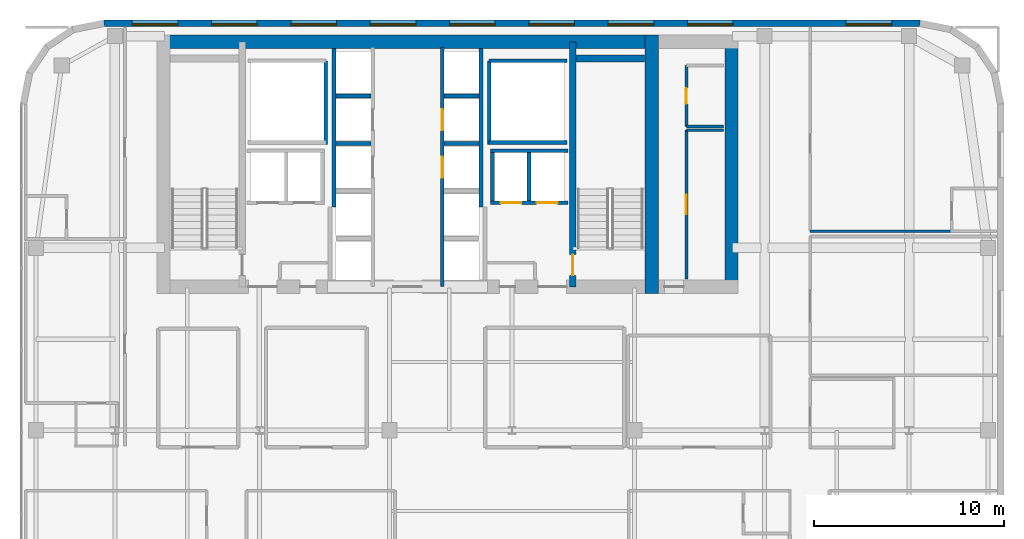
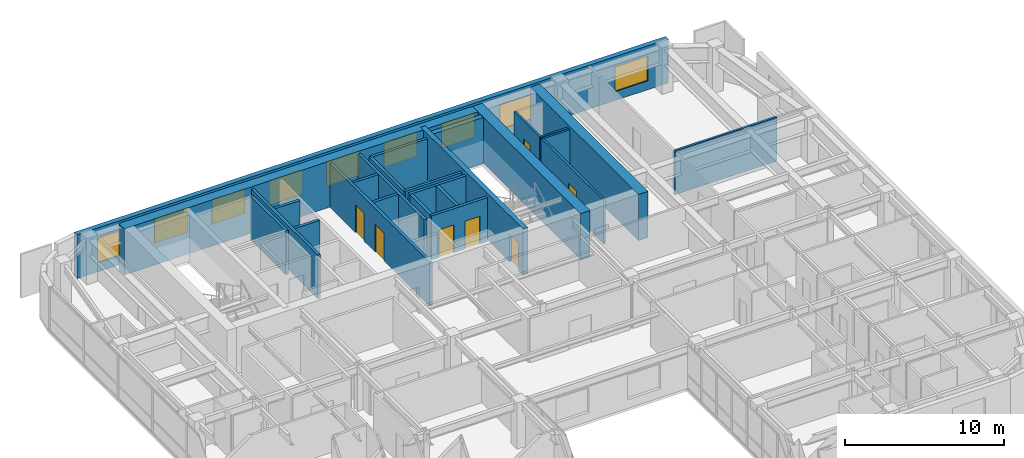
# One storey, part 22 of 24: 26 walls, 9 windows, 7 doors, 16 openings.
"""IFC4 building model written with IfcOpenShell, lengths in metres."""

from ifc_helpers import new_model, si_unit, direction, frame, frame_2d, origin, place, context, subcontext, project, spatial, rectangle, extrude, source, transform, mapped, material, layer, layer_set, type_object, type_shapes, element, fill, save


model = new_model("IFC4")

# Units and contexts
model_context = context("Model", 3, precision=1e-05, world=origin(), true_north=direction((0.0, 1.0)))
body_context = subcontext(model_context, "Body", "Model", "MODEL_VIEW")
ifc_project = project(units=[si_unit("LENGTHUNIT", "METRE"), si_unit("AREAUNIT", "SQUARE_METRE"), si_unit("VOLUMEUNIT", "CUBIC_METRE"), si_unit("PLANEANGLEUNIT", "RADIAN"), si_unit("MASSUNIT", "GRAM", prefix="KILO")], contexts=[model_context])

# Site, building, storey
site_placement = place(None, origin())
site = spatial("IfcSite", under=ifc_project, at=site_placement, CompositionType="ELEMENT")
building_placement = place(site_placement, origin())
building = spatial("IfcBuilding", under=site, at=building_placement, Name="Tolvann Quenvar Hotel", CompositionType="ELEMENT")
storey_placement = place(building_placement, frame((0.0, 0.0, 157.699951171875)))
storey = spatial("IfcBuildingStorey", under=building, at=storey_placement, Name="L41", CompositionType="ELEMENT", Elevation=157.699951171875)

# Walls
ifc_material_1 = material(Name="Concrete S65 (65 MPa)", Category="concrete")
ifc_layer_1 = layer(ifc_material_1, 0.699951171875)
ifc_layer_set_1 = layer_set([ifc_layer_1], Name="Concrete S65 (65 MPa)")
wall_type_1 = type_object("IfcWallType", Name="WALL_CORE_700", PredefinedType="SHEAR", material=ifc_layer_set_1)
wall_1_placement = place(storey_placement, frame((9.800048828125, 44.85009765625, 0.0), z_axis=(0.0, 0.0, 1.0), x_axis=(1.0, 0.0, 0.0)))
element("IfcWall", 1, at=wall_1_placement, inside=storey, type_object=wall_type_1, Name="Rear Core N Shear Wall (L41)", PredefinedType="SHEAR", context=body_context, shape_type="SweptSolid", body=[
    extrude(rectangle(XDim=26.39990234375, YDim=0.699951171875, at=frame_2d((13.199951171875, 0.0))), origin(), (0.0, 0.0, 1.0), 3.550048828125),
])
for number, where, z_axis, x_axis, name in (
    (2, (35.85009765625, 31.60009765625, 0.0), (0.0, 0.0, 1.0), (0.0, 1.0, 0.0), "Rear Core E Shear Wall (L41)"),
    (3, (40.050048828125, 31.60009765625, 0.0), (0.0, 0.0, 1.0), (0.0, 1.0, 0.0), "Core East Annex Shear Wall ANN-E (L41)"),
):
    element("IfcWall", number, at=place(storey_placement, frame(where, z_axis=z_axis, x_axis=x_axis)), inside=storey, type_object=wall_type_1, Name=name, PredefinedType="SHEAR", context=body_context, shape_type="SweptSolid", body=[
        extrude(rectangle(XDim=13.599853515625, YDim=0.699951171875, at=frame_2d((6.7998046875, 0.0))), origin(), (0.0, 0.0, 1.0), 3.550048828125),
    ])

# Wall, opening, door
ifc_layer_2 = layer(ifc_material_1, 0.35009765625)
ifc_layer_set_2 = layer_set([ifc_layer_2], Name="Concrete S65 (65 MPa)")
wall_type_2 = type_object("IfcWallType", Name="WALL_CORE_INT_350", PredefinedType="SHEAR", material=ifc_layer_set_2)
wall_2_placement = place(storey_placement, frame((31.699951171875, 31.949951171875, 0.0), z_axis=(0.0, 0.0, 1.0), x_axis=(0.0, 1.0, 0.0)))
wall_2 = element("IfcWall", 4, at=wall_2_placement, inside=storey, type_object=wall_type_2, Name="Core Internal Web Shear Wall WEB-E (L41)", PredefinedType="SHEAR", context=body_context, shape_type="SweptSolid", body=[
    extrude(rectangle(XDim=12.900146484375, YDim=0.35009765625, at=frame_2d((6.4501953125, 0.0))), origin(), (0.0, 0.0, 1.0), 3.550048828125),
])
opening_1_placement = place(wall_2_placement, frame((1.7001953125, 0.0, 0.0), z_axis=(0.0, 0.0, 1.0), x_axis=(-1.0, 0.0, 0.0)))
opening_1 = element("IfcOpeningElement", 5, at=opening_1_placement, cuts=wall_2, Name="Opening FD-120", PredefinedType="OPENING", context=body_context, shape_type="SweptSolid", body=[
    extrude(rectangle(XDim=1.10009765625, YDim=2.1201171875, at=frame_2d((0.550048828125, 1.06005859375))), frame((0.0, 0.18505859375, 0.0), z_axis=(0.0, -1.0, 0.0), x_axis=(1.0, 0.0, 0.0)), (0.0, 0.0, 1.0), 0.3701171875),
])
ifc_material_2 = material(Name="Pressed galvanised steel fire-rated door set", Category="steel")
door_type_1 = type_object("IfcDoorType", Name="DOOR_FIRE_STAIR_1100", OperationType="NOTDEFINED", PredefinedType="DOOR", material=ifc_material_2)
shared_shape_1 = source(origin(), body_context, "Body", "SweptSolid", [
    extrude(rectangle(XDim=1.10009765625, YDim=2.1201171875, at=frame_2d((0.550048828125, 1.06005859375))), frame((0.0, 0.02490234375, 0.0), z_axis=(0.0, -1.0, 0.0), x_axis=(1.0, 0.0, 0.0)), (0.0, 0.0, 1.0), 0.050048828125),
])
type_shapes(door_type_1, [shared_shape_1])
door_1_placement = place(opening_1_placement, origin())
door_1 = element("IfcDoor", 6, at=door_1_placement, inside=storey, type_object=door_type_1, Name="Exit Stair ST-C2 Fire Door (L41)", OperationType="SINGLE_SWING_RIGHT", OverallHeight=2.1201171875, OverallWidth=1.10009765625, PredefinedType="DOOR", context=body_context, shape_type="MappedRepresentation", body=[
    mapped(shared_shape_1, transform((0.0, 0.0, 0.0), x_axis=(1.0, 0.0, 0.0), y_axis=(0.0, 1.0, 0.0), z_axis=(0.0, 0.0, 1.0), scale=1.0)),
])
fill(opening_1, door_1)

# Wall
wall_3_placement = place(storey_placement, frame((31.8798828125, 43.97509765625, 0.0), z_axis=(0.0, 0.0, 1.0), x_axis=(1.0, 0.0, 0.0)))
element("IfcWall", 7, at=wall_3_placement, inside=storey, type_object=wall_type_2, Name="Core Stair North Closing Shear Wall STC2-N (L41)", PredefinedType="SHEAR", context=body_context, shape_type="SweptSolid", body=[
    extrude(rectangle(XDim=3.60009765625, YDim=0.35009765625, at=frame_2d((1.800048828125, 0.0))), origin(), (0.0, 0.0, 1.0), 3.550048828125),
])

# Wall, openings, windows
ifc_material_3 = material(Name="Kiln-fired red and buff architectural clay brickwork and terracotta masonry", Category="masonry")
ifc_layer_3 = layer(ifc_material_3, 0.35009765625)
ifc_layer_set_3 = layer_set([ifc_layer_3], Name="Kiln-fired red and buff architectural clay brickwork and terracotta masonry")
wall_type_3 = type_object("IfcWallType", Name="WALL_EXT_BRICK_350", PredefinedType="SOLIDWALL", material=ifc_layer_set_3)
wall_4_placement = place(storey_placement, frame((49.98291015625, 45.824951171875, 0.0), z_axis=(0.0, 0.0, 1.0), x_axis=(-1.0, 0.0, 0.0)))
wall_4 = element("IfcWall", 8, at=wall_4_placement, inside=storey, type_object=wall_type_3, Name="Exterior Chicago Brick Wall L41-E18", PredefinedType="SOLIDWALL", context=body_context, shape_type="SweptSolid", body=[
    extrude(rectangle(XDim=42.9658203125, YDim=0.35009765625, at=frame_2d((21.48291015625, 0.0))), origin(), (0.0, 0.0, 1.0), 3.3701171875),
])
opening_2_placement = place(wall_4_placement, frame((1.488037109375, 0.0, 0.679931640625)))
opening_2 = element("IfcOpeningElement", 9, at=opening_2_placement, cuts=wall_4, Name="Opening W-01", PredefinedType="OPENING", context=body_context, shape_type="SweptSolid", body=[
    extrude(rectangle(XDim=2.39990234375, YDim=1.89990234375, at=frame_2d((1.199951171875, 0.949951171875))), frame((0.0, 0.18505859375, 0.0), z_axis=(0.0, -1.0, 0.0), x_axis=(1.0, 0.0, 0.0)), (0.0, 0.0, 1.0), 0.3701171875),
])
opening_3_placement = place(wall_4_placement, frame((9.841064453125, 0.0, 0.679931640625)))
opening_3 = element("IfcOpeningElement", 10, at=opening_3_placement, cuts=wall_4, Name="Opening W-01", PredefinedType="OPENING", context=body_context, shape_type="SweptSolid", body=[
    extrude(rectangle(XDim=2.39990234375, YDim=1.89990234375, at=frame_2d((1.199951171875, 0.949951171875))), frame((0.0, 0.18505859375, 0.0), z_axis=(0.0, -1.0, 0.0), x_axis=(1.0, 0.0, 0.0)), (0.0, 0.0, 1.0), 0.3701171875),
])
opening_4_placement = place(wall_4_placement, frame((14.01806640625, 0.0, 0.679931640625)))
opening_4 = element("IfcOpeningElement", 11, at=opening_4_placement, cuts=wall_4, Name="Opening W-01", PredefinedType="OPENING", context=body_context, shape_type="SweptSolid", body=[
    extrude(rectangle(XDim=2.39990234375, YDim=1.89990234375, at=frame_2d((1.199951171875, 0.949951171875))), frame((0.0, 0.18505859375, 0.0), z_axis=(0.0, -1.0, 0.0), x_axis=(1.0, 0.0, 0.0)), (0.0, 0.0, 1.0), 0.3701171875),
])
opening_5_placement = place(wall_4_placement, frame((18.195068359375, 0.0, 0.679931640625)))
opening_5 = element("IfcOpeningElement", 12, at=opening_5_placement, cuts=wall_4, Name="Opening W-01", PredefinedType="OPENING", context=body_context, shape_type="SweptSolid", body=[
    extrude(rectangle(XDim=2.39990234375, YDim=1.89990234375, at=frame_2d((1.199951171875, 0.949951171875))), frame((0.0, 0.18505859375, 0.0), z_axis=(0.0, -1.0, 0.0), x_axis=(1.0, 0.0, 0.0)), (0.0, 0.0, 1.0), 0.3701171875),
])
opening_6_placement = place(wall_4_placement, frame((22.37109375, 0.0, 0.679931640625)))
opening_6 = element("IfcOpeningElement", 13, at=opening_6_placement, cuts=wall_4, Name="Opening W-01", PredefinedType="OPENING", context=body_context, shape_type="SweptSolid", body=[
    extrude(rectangle(XDim=2.39990234375, YDim=1.89990234375, at=frame_2d((1.199951171875, 0.949951171875))), frame((0.0, 0.18505859375, 0.0), z_axis=(0.0, -1.0, 0.0), x_axis=(1.0, 0.0, 0.0)), (0.0, 0.0, 1.0), 0.3701171875),
])
opening_7_placement = place(wall_4_placement, frame((26.548095703125, 0.0, 0.679931640625)))
opening_7 = element("IfcOpeningElement", 14, at=opening_7_placement, cuts=wall_4, Name="Opening W-01", PredefinedType="OPENING", context=body_context, shape_type="SweptSolid", body=[
    extrude(rectangle(XDim=2.39990234375, YDim=1.89990234375, at=frame_2d((1.199951171875, 0.949951171875))), frame((0.0, 0.18505859375, 0.0), z_axis=(0.0, -1.0, 0.0), x_axis=(1.0, 0.0, 0.0)), (0.0, 0.0, 1.0), 0.3701171875),
])
opening_8_placement = place(wall_4_placement, frame((30.72412109375, 0.0, 0.679931640625)))
opening_8 = element("IfcOpeningElement", 15, at=opening_8_placement, cuts=wall_4, Name="Opening W-01", PredefinedType="OPENING", context=body_context, shape_type="SweptSolid", body=[
    extrude(rectangle(XDim=2.39990234375, YDim=1.89990234375, at=frame_2d((1.199951171875, 0.949951171875))), frame((0.0, 0.18505859375, 0.0), z_axis=(0.0, -1.0, 0.0), x_axis=(1.0, 0.0, 0.0)), (0.0, 0.0, 1.0), 0.3701171875),
])
opening_9_placement = place(wall_4_placement, frame((34.90087890625, 0.0, 0.679931640625)))
opening_9 = element("IfcOpeningElement", 16, at=opening_9_placement, cuts=wall_4, Name="Opening W-01", PredefinedType="OPENING", context=body_context, shape_type="SweptSolid", body=[
    extrude(rectangle(XDim=2.39990234375, YDim=1.89990234375, at=frame_2d((1.199951171875, 0.949951171875))), frame((0.0, 0.18505859375, 0.0), z_axis=(0.0, -1.0, 0.0), x_axis=(1.0, 0.0, 0.0)), (0.0, 0.0, 1.0), 0.3701171875),
])
opening_10_placement = place(wall_4_placement, frame((39.076904296875, 0.0, 0.679931640625)))
opening_10 = element("IfcOpeningElement", 17, at=opening_10_placement, cuts=wall_4, Name="Opening W-01", PredefinedType="OPENING", context=body_context, shape_type="SweptSolid", body=[
    extrude(rectangle(XDim=2.39990234375, YDim=1.89990234375, at=frame_2d((1.199951171875, 0.949951171875))), frame((0.0, 0.18505859375, 0.0), z_axis=(0.0, -1.0, 0.0), x_axis=(1.0, 0.0, 0.0)), (0.0, 0.0, 1.0), 0.3701171875),
])
ifc_material_4 = material(Name="Thermally broken bronze-anodised aluminium frame with double low-E glazing", Category="aluminium")
window_type = type_object("IfcWindowType", Name="WIN_CHI_2400x2050", PartitioningType="TRIPLE_PANEL_HORIZONTAL", PredefinedType="WINDOW", material=ifc_material_4)
shared_shape_2 = source(origin(), body_context, "Body", "SweptSolid", [
    extrude(rectangle(XDim=2.39990234375, YDim=1.89990234375, at=frame_2d((1.199951171875, 0.949951171875))), frame((0.0, 0.090087890625, 0.0), z_axis=(0.0, -1.0, 0.0), x_axis=(1.0, 0.0, 0.0)), (0.0, 0.0, 1.0), 0.06005859375),
])
type_shapes(window_type, [shared_shape_2])
window_1_placement = place(opening_2_placement, origin())
window_1 = element("IfcWindow", 18, at=window_1_placement, inside=storey, type_object=window_type, Name="Chicago Window W-01 (EW-L41-E18-W01)", OverallHeight=1.89990234375, OverallWidth=2.39990234375, PartitioningType="TRIPLE_PANEL_HORIZONTAL", PredefinedType="WINDOW", context=body_context, shape_type="MappedRepresentation", body=[
    mapped(shared_shape_2, transform((0.0, 0.0, 0.0), x_axis=(1.0, 0.0, 0.0), y_axis=(0.0, 1.0, 0.0), z_axis=(0.0, 0.0, 1.0), scale=1.0)),
])
fill(opening_2, window_1)
window_2_placement = place(opening_3_placement, origin())
window_2 = element("IfcWindow", 19, at=window_2_placement, inside=storey, type_object=window_type, Name="Chicago Window W-01 (EW-L41-E18-W02)", OverallHeight=1.89990234375, OverallWidth=2.39990234375, PartitioningType="TRIPLE_PANEL_HORIZONTAL", PredefinedType="WINDOW", context=body_context, shape_type="MappedRepresentation", body=[
    mapped(shared_shape_2, transform((0.0, 0.0, 0.0), x_axis=(1.0, 0.0, 0.0), y_axis=(0.0, 1.0, 0.0), z_axis=(0.0, 0.0, 1.0), scale=1.0)),
])
fill(opening_3, window_2)
window_3_placement = place(opening_4_placement, origin())
window_3 = element("IfcWindow", 20, at=window_3_placement, inside=storey, type_object=window_type, Name="Chicago Window W-01 (EW-L41-E18-W03)", OverallHeight=1.89990234375, OverallWidth=2.39990234375, PartitioningType="TRIPLE_PANEL_HORIZONTAL", PredefinedType="WINDOW", context=body_context, shape_type="MappedRepresentation", body=[
    mapped(shared_shape_2, transform((0.0, 0.0, 0.0), x_axis=(1.0, 0.0, 0.0), y_axis=(0.0, 1.0, 0.0), z_axis=(0.0, 0.0, 1.0), scale=1.0)),
])
fill(opening_4, window_3)
window_4_placement = place(opening_5_placement, origin())
window_4 = element("IfcWindow", 21, at=window_4_placement, inside=storey, type_object=window_type, Name="Chicago Window W-01 (EW-L41-E18-W04)", OverallHeight=1.89990234375, OverallWidth=2.39990234375, PartitioningType="TRIPLE_PANEL_HORIZONTAL", PredefinedType="WINDOW", context=body_context, shape_type="MappedRepresentation", body=[
    mapped(shared_shape_2, transform((0.0, 0.0, 0.0), x_axis=(1.0, 0.0, 0.0), y_axis=(0.0, 1.0, 0.0), z_axis=(0.0, 0.0, 1.0), scale=1.0)),
])
fill(opening_5, window_4)
window_5_placement = place(opening_6_placement, origin())
window_5 = element("IfcWindow", 22, at=window_5_placement, inside=storey, type_object=window_type, Name="Chicago Window W-01 (EW-L41-E18-W05)", OverallHeight=1.89990234375, OverallWidth=2.39990234375, PartitioningType="TRIPLE_PANEL_HORIZONTAL", PredefinedType="WINDOW", context=body_context, shape_type="MappedRepresentation", body=[
    mapped(shared_shape_2, transform((0.0, 0.0, 0.0), x_axis=(1.0, 0.0, 0.0), y_axis=(0.0, 1.0, 0.0), z_axis=(0.0, 0.0, 1.0), scale=1.0)),
])
fill(opening_6, window_5)
window_6_placement = place(opening_7_placement, origin())
window_6 = element("IfcWindow", 23, at=window_6_placement, inside=storey, type_object=window_type, Name="Chicago Window W-01 (EW-L41-E18-W06)", OverallHeight=1.89990234375, OverallWidth=2.39990234375, PartitioningType="TRIPLE_PANEL_HORIZONTAL", PredefinedType="WINDOW", context=body_context, shape_type="MappedRepresentation", body=[
    mapped(shared_shape_2, transform((0.0, 0.0, 0.0), x_axis=(1.0, 0.0, 0.0), y_axis=(0.0, 1.0, 0.0), z_axis=(0.0, 0.0, 1.0), scale=1.0)),
])
fill(opening_7, window_6)
window_7_placement = place(opening_8_placement, origin())
window_7 = element("IfcWindow", 24, at=window_7_placement, inside=storey, type_object=window_type, Name="Chicago Window W-01 (EW-L41-E18-W07)", OverallHeight=1.89990234375, OverallWidth=2.39990234375, PartitioningType="TRIPLE_PANEL_HORIZONTAL", PredefinedType="WINDOW", context=body_context, shape_type="MappedRepresentation", body=[
    mapped(shared_shape_2, transform((0.0, 0.0, 0.0), x_axis=(1.0, 0.0, 0.0), y_axis=(0.0, 1.0, 0.0), z_axis=(0.0, 0.0, 1.0), scale=1.0)),
])
fill(opening_8, window_7)
window_8_placement = place(opening_9_placement, origin())
window_8 = element("IfcWindow", 25, at=window_8_placement, inside=storey, type_object=window_type, Name="Chicago Window W-01 (EW-L41-E18-W08)", OverallHeight=1.89990234375, OverallWidth=2.39990234375, PartitioningType="TRIPLE_PANEL_HORIZONTAL", PredefinedType="WINDOW", context=body_context, shape_type="MappedRepresentation", body=[
    mapped(shared_shape_2, transform((0.0, 0.0, 0.0), x_axis=(1.0, 0.0, 0.0), y_axis=(0.0, 1.0, 0.0), z_axis=(0.0, 0.0, 1.0), scale=1.0)),
])
fill(opening_9, window_8)
window_9_placement = place(opening_10_placement, origin())
window_9 = element("IfcWindow", 26, at=window_9_placement, inside=storey, type_object=window_type, Name="Chicago Window W-01 (EW-L41-E18-W09)", OverallHeight=1.89990234375, OverallWidth=2.39990234375, PartitioningType="TRIPLE_PANEL_HORIZONTAL", PredefinedType="WINDOW", context=body_context, shape_type="MappedRepresentation", body=[
    mapped(shared_shape_2, transform((0.0, 0.0, 0.0), x_axis=(1.0, 0.0, 0.0), y_axis=(0.0, 1.0, 0.0), z_axis=(0.0, 0.0, 1.0), scale=1.0)),
])
fill(opening_10, window_9)

# Wall
ifc_material_5 = material(Name="Acoustic twin-stud fire-rated gypsum plasterboard partition")
ifc_layer_4 = layer(ifc_material_5, 0.14990234375)
ifc_layer_set_4 = layer_set([ifc_layer_4], Name="Acoustic twin-stud fire-rated gypsum plasterboard partition")
wall_type_4 = type_object("IfcWallType", Name="WALL_PART_SUITE_150", PredefinedType="PARTITIONING", material=ifc_layer_set_4)
wall_5_placement = place(storey_placement, frame((37.679931640625, 40.199951171875, 0.0), z_axis=(0.0, 0.0, 1.0), x_axis=(1.0, 0.0, 0.0)))
element("IfcWall", 27, at=wall_5_placement, inside=storey, type_object=wall_type_4, Name="Interior Partition PT-SPC-L41-RECPL-1-N", PredefinedType="PARTITIONING", context=body_context, shape_type="SweptSolid", body=[
    extrude(rectangle(XDim=1.965087890625, YDim=0.14990234375, at=frame_2d((0.982421875, 0.0))), origin(), (0.0, 0.0, 1.0), 3.3701171875),
])

# Wall, opening, door
wall_6_placement = place(storey_placement, frame((37.679931640625, 32.35498046875, 0.0), z_axis=(0.0, 0.0, 1.0), x_axis=(0.0, 1.0, 0.0)))
wall_6 = element("IfcWall", 28, at=wall_6_placement, inside=storey, type_object=wall_type_4, Name="Interior Partition PT-SPC-L41-RECPL-1-W", PredefinedType="PARTITIONING", context=body_context, shape_type="SweptSolid", body=[
    extrude(rectangle(XDim=7.844970703125, YDim=0.14990234375, at=frame_2d((3.92236328125, 0.0))), origin(), (0.0, 0.0, 1.0), 3.3701171875),
])
opening_11_placement = place(wall_6_placement, frame((3.41259765625, 0.0, 0.0)))
opening_11 = element("IfcOpeningElement", 29, at=opening_11_placement, cuts=wall_6, Name="Opening HD-01", PredefinedType="OPENING", context=body_context, shape_type="SweptSolid", body=[
    extrude(rectangle(XDim=1.02001953125, YDim=2.030029296875, at=frame_2d((0.510009765625, 1.01513671875))), frame((0.0, 0.0849609375, 0.0), z_axis=(0.0, -1.0, 0.0), x_axis=(1.0, 0.0, 0.0)), (0.0, 0.0, 1.0), 0.169921875),
])
door_type_2 = type_object("IfcDoorType", Name="DOOR_BOH_1020", OperationType="NOTDEFINED", PredefinedType="DOOR", material=ifc_material_2)
shared_shape_3 = source(origin(), body_context, "Body", "SweptSolid", [
    extrude(rectangle(XDim=1.02001953125, YDim=2.030029296875, at=frame_2d((0.510009765625, 1.01513671875))), frame((0.0, 0.02490234375, 0.0), z_axis=(0.0, -1.0, 0.0), x_axis=(1.0, 0.0, 0.0)), (0.0, 0.0, 1.0), 0.050048828125),
])
type_shapes(door_type_2, [shared_shape_3])
door_2_placement = place(opening_11_placement, origin())
door_2 = element("IfcDoor", 30, at=door_2_placement, inside=storey, type_object=door_type_2, Name="Interior Door DOOR-SPC-L41-RECPL-1", OperationType="SINGLE_SWING_LEFT", OverallHeight=2.030029296875, OverallWidth=1.02001953125, PredefinedType="DOOR", context=body_context, shape_type="MappedRepresentation", body=[
    mapped(shared_shape_3, transform((0.0, 0.0, 0.0), x_axis=(1.0, 0.0, 0.0), y_axis=(0.0, 1.0, 0.0), z_axis=(0.0, 0.0, 1.0), scale=1.0)),
])
fill(opening_11, door_2)

# Wall
wall_7_placement = place(storey_placement, frame((37.679931640625, 40.39990234375, 0.0), z_axis=(0.0, 0.0, 1.0), x_axis=(1.0, 0.0, 0.0)))
element("IfcWall", 31, at=wall_7_placement, inside=storey, type_object=wall_type_4, Name="Interior Partition PT-SPC-L41-CSE-1-S", PredefinedType="PARTITIONING", context=body_context, shape_type="SweptSolid", body=[
    extrude(rectangle(XDim=1.965087890625, YDim=0.14990234375, at=frame_2d((0.982421875, 0.0))), origin(), (0.0, 0.0, 1.0), 3.3701171875),
])

# Wall, opening, door
wall_8_placement = place(storey_placement, frame((37.679931640625, 40.39990234375, 0.0), z_axis=(0.0, 0.0, 1.0), x_axis=(0.0, 1.0, 0.0)))
wall_8 = element("IfcWall", 32, at=wall_8_placement, inside=storey, type_object=wall_type_4, Name="Interior Partition PT-SPC-L41-CSE-1-W", PredefinedType="PARTITIONING", context=body_context, shape_type="SweptSolid", body=[
    extrude(rectangle(XDim=3.2001953125, YDim=0.14990234375, at=frame_2d((1.60009765625, 0.0))), origin(), (0.0, 0.0, 1.0), 3.3701171875),
])
opening_12_placement = place(wall_8_placement, frame((1.18994140625, 0.0, 0.0)))
opening_12 = element("IfcOpeningElement", 33, at=opening_12_placement, cuts=wall_8, Name="Opening HD-02", PredefinedType="OPENING", context=body_context, shape_type="SweptSolid", body=[
    extrude(rectangle(XDim=0.820068359375, YDim=2.010009765625, at=frame_2d((0.41015625, 1.0048828125))), frame((0.0, 0.0849609375, 0.0), z_axis=(0.0, -1.0, 0.0), x_axis=(1.0, 0.0, 0.0)), (0.0, 0.0, 1.0), 0.169921875),
])
door_type_3 = type_object("IfcDoorType", Name="DOOR_STORE_820", OperationType="NOTDEFINED", PredefinedType="DOOR", material=ifc_material_2)
shared_shape_4 = source(origin(), body_context, "Body", "SweptSolid", [
    extrude(rectangle(XDim=0.820068359375, YDim=2.010009765625, at=frame_2d((0.41015625, 1.0048828125))), frame((0.0, 0.02490234375, 0.0), z_axis=(0.0, -1.0, 0.0), x_axis=(1.0, 0.0, 0.0)), (0.0, 0.0, 1.0), 0.050048828125),
])
type_shapes(door_type_3, [shared_shape_4])
door_3_placement = place(opening_12_placement, origin())
door_3 = element("IfcDoor", 34, at=door_3_placement, inside=storey, type_object=door_type_3, Name="Interior Door DOOR-SPC-L41-CSE-1", OperationType="SINGLE_SWING_RIGHT", OverallHeight=2.010009765625, OverallWidth=0.820068359375, PredefinedType="DOOR", context=body_context, shape_type="MappedRepresentation", body=[
    mapped(shared_shape_4, transform((0.0, 0.0, 0.0), x_axis=(1.0, 0.0, 0.0), y_axis=(0.0, 1.0, 0.0), z_axis=(0.0, 0.0, 1.0), scale=1.0)),
])
fill(opening_12, door_3)

# Walls
wall_9_placement = place(storey_placement, frame((44.199951171875, 34.8798828125, 0.0), z_axis=(0.0, 0.0, 1.0), x_axis=(1.0, 0.0, 0.0)))
element("IfcWall", 35, at=wall_9_placement, inside=storey, type_object=wall_type_4, Name="Interior Partition PT-SPC-L41-RM-NE01-E1", PredefinedType="PARTITIONING", context=body_context, shape_type="SweptSolid", body=[
    extrude(rectangle(XDim=7.429931640625, YDim=0.14990234375, at=frame_2d((3.71484375, 0.0))), origin(), (0.0, 0.0, 1.0), 3.3701171875),
])
ifc_material_6 = material(Name="Concrete N40 (40 MPa)", Category="concrete")
ifc_layer_5 = layer(ifc_material_6, 0.199951171875)
ifc_layer_set_5 = layer_set([ifc_layer_5], Name="Concrete N40 (40 MPa)")
wall_type_5 = type_object("IfcWallType", Name="WALL_SHAFT_200", PredefinedType="SOLIDWALL", material=ifc_layer_set_5)
for number, where, z_axis, x_axis, name in (
    (36, (18.699951171875, 39.449951171875, 0.0), (0.0, 0.0, 1.0), (0.0, 1.0, 0.0), "Service Riser W Shaft Wall IN (L41)"),
    (37, (27.300048828125, 39.449951171875, 0.0), (0.0, 0.0, 1.0), (0.0, 1.0, 0.0), "Service Riser E Shaft Wall IN (L41)"),
):
    element("IfcWall", number, at=place(storey_placement, frame(where, z_axis=z_axis, x_axis=x_axis)), inside=storey, type_object=wall_type_5, Name=name, PredefinedType="SOLIDWALL", context=body_context, shape_type="SweptSolid", body=[
        extrude(rectangle(XDim=4.400146484375, YDim=0.199951171875, at=frame_2d((2.2001953125, 0.0))), origin(), (0.0, 0.0, 1.0), 3.3701171875),
    ])
for number, where, z_axis, x_axis, name in (
    (38, (27.300048828125, 39.550048828125, 0.0), (0.0, 0.0, 1.0), (1.0, 0.0, 0.0), "Service Riser E Shaft Wall S (L41)"),
    (39, (27.300048828125, 43.85009765625, 0.0), (0.0, 0.0, 1.0), (1.0, 0.0, 0.0), "Service Riser E Shaft Wall N (L41)"),
):
    element("IfcWall", number, at=place(storey_placement, frame(where, z_axis=z_axis, x_axis=x_axis)), inside=storey, type_object=wall_type_5, Name=name, PredefinedType="SOLIDWALL", context=body_context, shape_type="SweptSolid", body=[
        extrude(rectangle(XDim=4.099853515625, YDim=0.199951171875, at=frame_2d((2.0498046875, 0.0))), origin(), (0.0, 0.0, 1.0), 3.3701171875),
    ])
wall_10_placement = place(storey_placement, frame((19.1298828125, 36.159912109375, 0.0), z_axis=(0.0, 0.0, 1.0), x_axis=(0.0, 1.0, 0.0)))
element("IfcWall", 40, at=wall_10_placement, inside=storey, type_object=wall_type_5, Name="Lift Bank E21.1C1 Hoistway Rear Wall (L41)", PredefinedType="SOLIDWALL", context=body_context, shape_type="SweptSolid", body=[
    extrude(rectangle(XDim=8.336181640625, YDim=0.199951171875, at=frame_2d((4.16796875, 0.0))), origin(), (0.0, 0.0, 1.0), 3.3701171875),
])
for number, where, z_axis, x_axis, name in (
    (41, (19.22998046875, 39.5, 0.0), (0.0, 0.0, 1.0), (1.0, 0.0, 0.0), "Lift Bank E21.1C1 Divider Wall 3 (L41)"),
    (42, (19.22998046875, 42.0, 0.0), (0.0, 0.0, 1.0), (1.0, 0.0, 0.0), "Lift Bank E21.1C1 Divider Wall 4 (L41)"),
):
    element("IfcWall", number, at=place(storey_placement, frame(where, z_axis=z_axis, x_axis=x_axis)), inside=storey, type_object=wall_type_5, Name=name, PredefinedType="SOLIDWALL", context=body_context, shape_type="SweptSolid", body=[
        extrude(rectangle(XDim=1.840087890625, YDim=0.199951171875, at=frame_2d((0.919921875, 0.0))), origin(), (0.0, 0.0, 1.0), 3.3701171875),
    ])

# Wall, openings, doors
wall_11_placement = place(storey_placement, frame((27.375, 36.3798828125, 0.0), z_axis=(0.0, 0.0, 1.0), x_axis=(1.0, 0.0, 0.0)))
wall_11 = element("IfcWall", 43, at=wall_11_placement, inside=storey, type_object=wall_type_5, Name="Lift Bank SEC1 Hoistway Front Wall (L41)", PredefinedType="SOLIDWALL", context=body_context, shape_type="SweptSolid", body=[
    extrude(rectangle(XDim=4.074951171875, YDim=0.199951171875, at=frame_2d((2.03759765625, 0.0))), origin(), (0.0, 0.0, 1.0), 3.3701171875),
])
opening_13_placement = place(wall_11_placement, frame((0.52490234375, 0.0, 0.0)))
opening_13 = element("IfcOpeningElement", 44, at=opening_13_placement, cuts=wall_11, Name="Opening LD-01", PredefinedType="OPENING", context=body_context, shape_type="SweptSolid", body=[
    extrude(rectangle(XDim=1.10009765625, YDim=2.1201171875, at=frame_2d((0.550048828125, 1.06005859375))), frame((0.0, 0.10986328125, 0.0), z_axis=(0.0, -1.0, 0.0), x_axis=(1.0, 0.0, 0.0)), (0.0, 0.0, 1.0), 0.219970703125),
])
opening_14_placement = place(wall_11_placement, frame((2.425048828125, 0.0, 0.0)))
opening_14 = element("IfcOpeningElement", 45, at=opening_14_placement, cuts=wall_11, Name="Opening LD-01", PredefinedType="OPENING", context=body_context, shape_type="SweptSolid", body=[
    extrude(rectangle(XDim=1.10009765625, YDim=2.1201171875, at=frame_2d((0.550048828125, 1.06005859375))), frame((0.0, 0.10986328125, 0.0), z_axis=(0.0, -1.0, 0.0), x_axis=(1.0, 0.0, 0.0)), (0.0, 0.0, 1.0), 0.219970703125),
])
ifc_material_7 = material(Name="Brushed 316 stainless steel automatic sliding lift landing door", Category="steel")
door_type_4 = type_object("IfcDoorType", Name="DOOR_LIFT_SLIDE_1100", OperationType="NOTDEFINED", PredefinedType="DOOR", material=ifc_material_7)
shared_shape_5 = source(origin(), body_context, "Body", "SweptSolid", [
    extrude(rectangle(XDim=1.10009765625, YDim=2.1201171875, at=frame_2d((0.550048828125, 1.06005859375))), frame((0.0, 0.02490234375, 0.0), z_axis=(0.0, -1.0, 0.0), x_axis=(1.0, 0.0, 0.0)), (0.0, 0.0, 1.0), 0.050048828125),
])
type_shapes(door_type_4, [shared_shape_5])
door_4_placement = place(opening_13_placement, origin())
door_4 = element("IfcDoor", 46, at=door_4_placement, inside=storey, type_object=door_type_4, Name="Lift SV-2 Sliding Landing Door (L41)", OperationType="SLIDING_TO_LEFT", OverallHeight=2.1201171875, OverallWidth=1.10009765625, PredefinedType="DOOR", context=body_context, shape_type="MappedRepresentation", body=[
    mapped(shared_shape_5, transform((0.0, 0.0, 0.0), x_axis=(1.0, 0.0, 0.0), y_axis=(0.0, 1.0, 0.0), z_axis=(0.0, 0.0, 1.0), scale=1.0)),
])
fill(opening_13, door_4)
door_5_placement = place(opening_14_placement, origin())
door_5 = element("IfcDoor", 47, at=door_5_placement, inside=storey, type_object=door_type_4, Name="Lift FF-2 Sliding Landing Door (L41)", OperationType="SLIDING_TO_RIGHT", OverallHeight=2.1201171875, OverallWidth=1.10009765625, PredefinedType="DOOR", context=body_context, shape_type="MappedRepresentation", body=[
    mapped(shared_shape_5, transform((0.0, 0.0, 0.0), x_axis=(1.0, 0.0, 0.0), y_axis=(0.0, 1.0, 0.0), z_axis=(0.0, 0.0, 1.0), scale=1.0)),
])
fill(opening_14, door_5)

# Walls
wall_12_placement = place(storey_placement, frame((27.375, 39.1201171875, 0.0), z_axis=(0.0, 0.0, 1.0), x_axis=(1.0, 0.0, 0.0)))
element("IfcWall", 48, at=wall_12_placement, inside=storey, type_object=wall_type_5, Name="Lift Bank SEC1 Hoistway Rear Wall (L41)", PredefinedType="SOLIDWALL", context=body_context, shape_type="SweptSolid", body=[
    extrude(rectangle(XDim=4.074951171875, YDim=0.199951171875, at=frame_2d((2.03759765625, 0.0))), origin(), (0.0, 0.0, 1.0), 3.3701171875),
])
for number, where, z_axis, x_axis, name in (
    (49, (27.47509765625, 36.47998046875, 0.0), (0.0, 0.0, 1.0), (0.0, 1.0, 0.0), "Lift Bank SEC1 Hoistway Cheek Wall 1 (L41)"),
    (50, (29.387451171875, 36.47998046875, 0.0), (0.0, 0.0, 1.0), (0.0, 1.0, 0.0), "Lift Bank SEC1 Divider Wall 1 (L41)"),
):
    element("IfcWall", number, at=place(storey_placement, frame(where, z_axis=z_axis, x_axis=x_axis)), inside=storey, type_object=wall_type_5, Name=name, PredefinedType="SOLIDWALL", context=body_context, shape_type="SweptSolid", body=[
        extrude(rectangle(XDim=2.5400390625, YDim=0.199951171875, at=frame_2d((1.27001953125, 0.0))), origin(), (0.0, 0.0, 1.0), 3.3701171875),
    ])

# Wall, openings, doors
wall_13_placement = place(storey_placement, frame((24.830078125, 31.9599609375, 0.0), z_axis=(0.0, 0.0, 1.0), x_axis=(0.0, 1.0, 0.0)))
wall_13 = element("IfcWall", 51, at=wall_13_placement, inside=storey, type_object=wall_type_5, Name="Lift Bank W24.9C1 Hoistway Front Wall (L41)", PredefinedType="SOLIDWALL", context=body_context, shape_type="SweptSolid", body=[
    extrude(rectangle(XDim=12.580078125, YDim=0.199951171875, at=frame_2d((6.2900390625, 0.0))), origin(), (0.0, 0.0, 1.0), 3.3701171875),
])
opening_15_placement = place(wall_13_placement, frame((5.739990234375, 0.0, 0.0)))
opening_15 = element("IfcOpeningElement", 52, at=opening_15_placement, cuts=wall_13, Name="Opening LD-01", PredefinedType="OPENING", context=body_context, shape_type="SweptSolid", body=[
    extrude(rectangle(XDim=1.10009765625, YDim=2.1201171875, at=frame_2d((0.550048828125, 1.06005859375))), frame((0.0, 0.10986328125, 0.0), z_axis=(0.0, -1.0, 0.0), x_axis=(1.0, 0.0, 0.0)), (0.0, 0.0, 1.0), 0.219970703125),
])
opening_16_placement = place(wall_13_placement, frame((8.239990234375, 0.0, 0.0)))
opening_16 = element("IfcOpeningElement", 53, at=opening_16_placement, cuts=wall_13, Name="Opening LD-01", PredefinedType="OPENING", context=body_context, shape_type="SweptSolid", body=[
    extrude(rectangle(XDim=1.10009765625, YDim=2.1201171875, at=frame_2d((0.550048828125, 1.06005859375))), frame((0.0, 0.10986328125, 0.0), z_axis=(0.0, -1.0, 0.0), x_axis=(1.0, 0.0, 0.0)), (0.0, 0.0, 1.0), 0.219970703125),
])
door_6_placement = place(opening_15_placement, origin())
door_6 = element("IfcDoor", 54, at=door_6_placement, inside=storey, type_object=door_type_4, Name="Lift PM-3 Sliding Landing Door (L41)", OperationType="SLIDING_TO_RIGHT", OverallHeight=2.1201171875, OverallWidth=1.10009765625, PredefinedType="DOOR", context=body_context, shape_type="MappedRepresentation", body=[
    mapped(shared_shape_5, transform((0.0, 0.0, 0.0), x_axis=(1.0, 0.0, 0.0), y_axis=(0.0, 1.0, 0.0), z_axis=(0.0, 0.0, 1.0), scale=1.0)),
])
fill(opening_15, door_6)
door_7_placement = place(opening_16_placement, origin())
door_7 = element("IfcDoor", 55, at=door_7_placement, inside=storey, type_object=door_type_4, Name="Lift PM-4 Sliding Landing Door (L41)", OperationType="SLIDING_TO_LEFT", OverallHeight=2.1201171875, OverallWidth=1.10009765625, PredefinedType="DOOR", context=body_context, shape_type="MappedRepresentation", body=[
    mapped(shared_shape_5, transform((0.0, 0.0, 0.0), x_axis=(1.0, 0.0, 0.0), y_axis=(0.0, 1.0, 0.0), z_axis=(0.0, 0.0, 1.0), scale=1.0)),
])
fill(opening_16, door_7)

# Walls
wall_14_placement = place(storey_placement, frame((26.8701171875, 36.159912109375, 0.0), z_axis=(0.0, 0.0, 1.0), x_axis=(0.0, 1.0, 0.0)))
element("IfcWall", 56, at=wall_14_placement, inside=storey, type_object=wall_type_5, Name="Lift Bank W24.9C1 Hoistway Rear Wall (L41)", PredefinedType="SOLIDWALL", context=body_context, shape_type="SweptSolid", body=[
    extrude(rectangle(XDim=8.336181640625, YDim=0.199951171875, at=frame_2d((4.16796875, 0.0))), origin(), (0.0, 0.0, 1.0), 3.3701171875),
])
for number, where, z_axis, x_axis, name in (
    (57, (24.929931640625, 39.5, 0.0), (0.0, 0.0, 1.0), (1.0, 0.0, 0.0), "Lift Bank W24.9C1 Divider Wall 3 (L41)"),
    (58, (24.929931640625, 42.0, 0.0), (0.0, 0.0, 1.0), (1.0, 0.0, 0.0), "Lift Bank W24.9C1 Divider Wall 4 (L41)"),
):
    element("IfcWall", number, at=place(storey_placement, frame(where, z_axis=z_axis, x_axis=x_axis)), inside=storey, type_object=wall_type_5, Name=name, PredefinedType="SOLIDWALL", context=body_context, shape_type="SweptSolid", body=[
        extrude(rectangle(XDim=1.840087890625, YDim=0.199951171875, at=frame_2d((0.919921875, 0.0))), origin(), (0.0, 0.0, 1.0), 3.3701171875),
    ])

save(model, "model.ifc")
